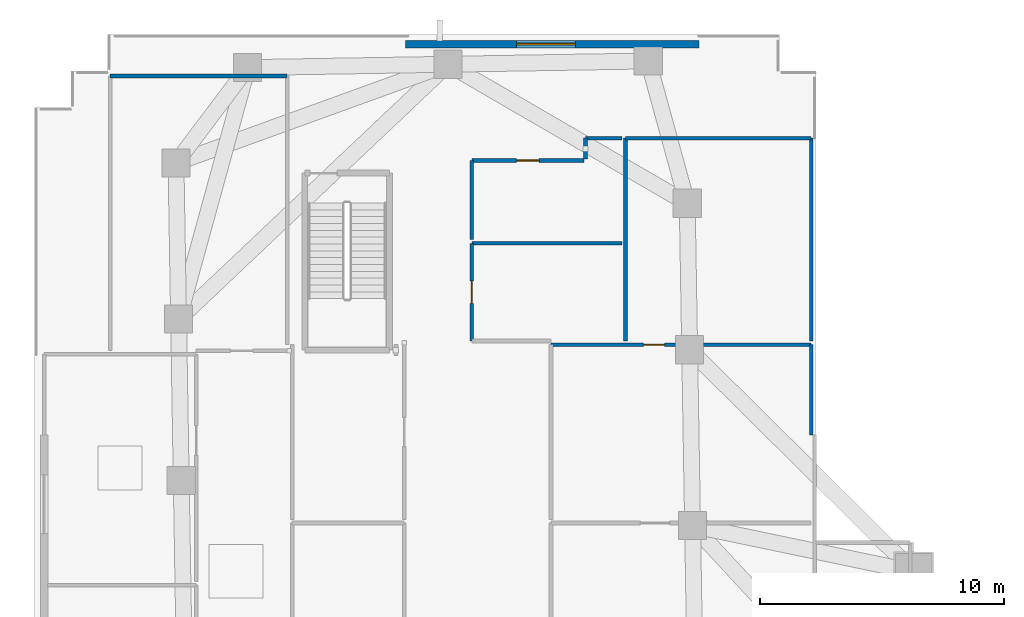
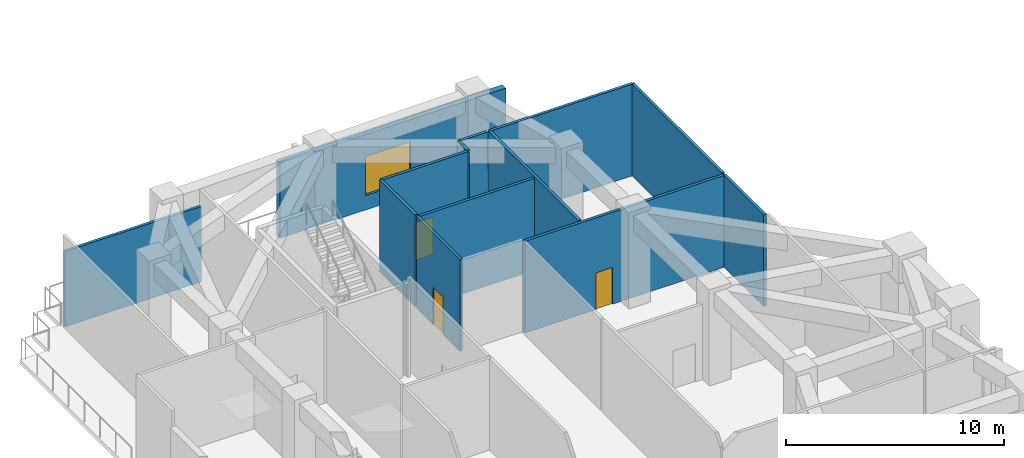
# One storey, part 10 of 18: 13 walls, 3 doors, 1 window, 4 openings.
"""IFC4 building model written with IfcOpenShell, lengths in metres."""

from ifc_helpers import new_model, si_unit, direction, frame, frame_2d, origin, place, context, subcontext, project, spatial, rectangle, extrude, material, layer, layer_set, type_object, element, fill, save


model = new_model("IFC4")

# Units and contexts
model_context = context("Model", 3, precision=1e-05, world=origin(), true_north=direction((0.0, 1.0)))
body_context = subcontext(model_context, "Body", "Model", "MODEL_VIEW")
ifc_project = project(units=[si_unit("LENGTHUNIT", "METRE"), si_unit("AREAUNIT", "SQUARE_METRE"), si_unit("VOLUMEUNIT", "CUBIC_METRE"), si_unit("PLANEANGLEUNIT", "RADIAN"), si_unit("MASSUNIT", "GRAM", prefix="KILO")], contexts=[model_context])

# Site, building, storey
site_placement = place(None, origin())
site = spatial("IfcSite", under=ifc_project, at=site_placement, CompositionType="ELEMENT")
building_placement = place(site_placement, origin())
building = spatial("IfcBuilding", under=site, at=building_placement, Name="Gaonmaruhae Medical Tower", CompositionType="ELEMENT")
storey_placement = place(building_placement, frame((0.0, 0.0, 10.800048828125)))
storey = spatial("IfcBuildingStorey", under=building, at=storey_placement, Name="L02", CompositionType="ELEMENT", Elevation=10.800048828125)

# Wall, opening, window
ifc_material_1 = material(Name="Precast concrete C45/55", Category="concrete")
ifc_layer_1 = layer(ifc_material_1, 0.320068359375)
ifc_layer_set_1 = layer_set([ifc_layer_1], Name="Precast concrete C45/55")
wall_type_1 = type_object("IfcWallType", Name="EW-320 Lower Precast Masonry-Frame Facade Wall", PredefinedType="SOLIDWALL", material=ifc_layer_set_1)
wall_1_placement = place(storey_placement, frame((15.199951171875, 50.800048828125, 0.0), z_axis=(0.0, 0.0, 1.0), x_axis=(1.0, 0.0, 0.0)))
wall_1 = element("IfcWall", 1, at=wall_1_placement, inside=storey, type_object=wall_type_1, Name="L02 Precast Facade Wall PB-N2", PredefinedType="SOLIDWALL", context=body_context, shape_type="SweptSolid", body=[
    extrude(rectangle(XDim=12.0, YDim=0.320068359375, at=frame_2d((6.0, 0.0))), origin(), (0.0, 0.0, 1.0), 4.22998046875),
])
opening_1_placement = place(wall_1_placement, frame((4.544921875, 0.0, 0.800048828125)))
opening_1 = element("IfcOpeningElement", 2, at=opening_1_placement, cuts=wall_1, Name="Opening WN-06", PredefinedType="OPENING", context=body_context, shape_type="SweptSolid", body=[
    extrude(rectangle(XDim=2.39990234375, YDim=2.199951171875, at=frame_2d((1.199951171875, 1.10009765625))), frame((0.0, 0.169921875, 0.0), z_axis=(0.0, -1.0, 0.0), x_axis=(1.0, 0.0, 0.0)), (0.0, 0.0, 1.0), 0.340087890625),
])
ifc_material_2 = material(Name="Anodised aluminium and Low-E double glazing", Category="aluminium")
window_type = type_object("IfcWindowType", Name="WN-06 Podium Diagnostic Punched Window 2400x2200", PartitioningType="SINGLE_PANEL", PredefinedType="WINDOW", material=ifc_material_2)
window_placement = place(opening_1_placement, origin())
window = element("IfcWindow", 3, at=window_placement, inside=storey, type_object=window_type, Name="L02 Podium Punched Window PB-N2", OverallHeight=2.199951171875, OverallWidth=2.39990234375, PartitioningType="SINGLE_PANEL", PredefinedType="WINDOW", context=body_context, shape_type="SweptSolid", body=[
    extrude(rectangle(XDim=2.39990234375, YDim=2.199951171875, at=frame_2d((1.199951171875, 1.10009765625))), frame((0.0, 0.030029296875, 0.0), z_axis=(0.0, -1.0, 0.0), x_axis=(1.0, 0.0, 0.0)), (0.0, 0.0, 1.0), 0.06005859375),
])
fill(opening_1, window)

# Wall, opening, door
ifc_material_3 = material(Name="Gypsum board partition", Category="gypsum")
ifc_layer_2 = layer(ifc_material_3, 0.14990234375)
ifc_layer_set_2 = layer_set([ifc_layer_2], Name="Gypsum board partition")
wall_type_2 = type_object("IfcWallType", Name="PW-150 Rated Clinical Corridor Partition", PredefinedType="PARTITIONING", material=ifc_layer_set_2)
wall_2_placement = place(storey_placement, frame((21.14990234375, 38.5, 0.0), z_axis=(0.0, 0.0, 1.0), x_axis=(1.0, 0.0, 0.0)))
wall_2 = element("IfcWall", 4, at=wall_2_placement, inside=storey, type_object=wall_type_2, Name="L02 Interior Partition L02-D6-65", PredefinedType="PARTITIONING", context=body_context, shape_type="SweptSolid", body=[
    extrude(rectangle(XDim=10.650146484375, YDim=0.14990234375, at=frame_2d((5.3251953125, 0.0))), origin(), (0.0, 0.0, 1.0), 5.14990234375),
])
opening_2_placement = place(wall_2_placement, frame((3.787353515625, 0.0, 0.0)))
opening_2 = element("IfcOpeningElement", 5, at=opening_2_placement, cuts=wall_2, Name="Opening AD-01", PredefinedType="OPENING", context=body_context, shape_type="SweptSolid", body=[
    extrude(rectangle(XDim=0.860107421875, YDim=2.06005859375, at=frame_2d((0.43017578125, 1.030029296875))), frame((0.0, 0.0849609375, 0.0), z_axis=(0.0, -1.0, 0.0), x_axis=(1.0, 0.0, 0.0)), (0.0, 0.0, 1.0), 0.169921875),
])
ifc_material_4 = material(Name="Powder-coated steel access door", Category="steel")
door_type_1 = type_object("IfcDoorType", Name="AD-01 Riser & Closet Access Fire Door 860x2060", OperationType="NOTDEFINED", PredefinedType="DOOR", material=ifc_material_4)
door_1_placement = place(opening_2_placement, origin())
door_1 = element("IfcDoor", 6, at=door_1_placement, inside=storey, type_object=door_type_1, Name="L02 Medical Records and Reporting Office Sliding Door", OperationType="SLIDING_TO_LEFT", OverallHeight=2.06005859375, OverallWidth=0.860107421875, PredefinedType="DOOR", context=body_context, shape_type="SweptSolid", body=[
    extrude(rectangle(XDim=0.860107421875, YDim=2.06005859375, at=frame_2d((0.43017578125, 1.030029296875))), frame((0.0, 0.02490234375, 0.0), z_axis=(0.0, -1.0, 0.0), x_axis=(1.0, 0.0, 0.0)), (0.0, 0.0, 1.0), 0.050048828125),
])
fill(opening_2, door_1)

# Walls
wall_3_placement = place(storey_placement, frame((31.800048828125, 38.5, 0.0), z_axis=(0.0, 0.0, 1.0), x_axis=(0.0, -1.0, 0.0)))
element("IfcWall", 7, at=wall_3_placement, inside=storey, type_object=wall_type_2, Name="L02 Interior Partition L02-D6-66", PredefinedType="PARTITIONING", context=body_context, shape_type="SweptSolid", body=[
    extrude(rectangle(XDim=3.699951171875, YDim=0.14990234375, at=frame_2d((1.85009765625, 0.0))), origin(), (0.0, 0.0, 1.0), 5.14990234375),
])
wall_4_placement = place(storey_placement, frame((24.199951171875, 46.949951171875, 0.0), z_axis=(0.0, 0.0, 1.0), x_axis=(1.0, 0.0, 0.0)))
element("IfcWall", 8, at=wall_4_placement, inside=storey, type_object=wall_type_2, Name="L02 Interior Partition L02-D7-68", PredefinedType="PARTITIONING", context=body_context, shape_type="SweptSolid", body=[
    extrude(rectangle(XDim=7.60009765625, YDim=0.14990234375, at=frame_2d((3.800048828125, 0.0))), origin(), (0.0, 0.0, 1.0), 5.14990234375),
])
for number, where, z_axis, x_axis, name in (
    (9, (31.800048828125, 46.949951171875, 0.0), (0.0, 0.0, 1.0), (0.0, -1.0, 0.0), "L02 Interior Partition L02-D7-69"),
    (10, (24.199951171875, 38.64990234375, 0.0), (0.0, 0.0, 1.0), (0.0, 1.0, 0.0), "L02 Interior Partition L02-D7-70"),
):
    element("IfcWall", number, at=place(storey_placement, frame(where, z_axis=z_axis, x_axis=x_axis)), inside=storey, type_object=wall_type_2, Name=name, PredefinedType="PARTITIONING", context=body_context, shape_type="SweptSolid", body=[
        extrude(rectangle(XDim=8.300048828125, YDim=0.14990234375, at=frame_2d((4.14990234375, 0.0))), origin(), (0.0, 0.0, 1.0), 5.14990234375),
    ])

# Wall, opening, door
wall_5_placement = place(storey_placement, frame((17.909912109375, 38.64990234375, 0.0), z_axis=(0.0, 0.0, 1.0), x_axis=(0.0, 1.0, 0.0)))
wall_5 = element("IfcWall", 11, at=wall_5_placement, inside=storey, type_object=wall_type_2, Name="L02 Interior Partition L02-WC-72", PredefinedType="PARTITIONING", context=body_context, shape_type="SweptSolid", body=[
    extrude(rectangle(XDim=4.0, YDim=0.14990234375, at=frame_2d((2.0, 0.0))), origin(), (0.0, 0.0, 1.0), 5.14990234375),
])
opening_3_placement = place(wall_5_placement, frame((1.5400390625, 0.0, 0.0)))
opening_3 = element("IfcOpeningElement", 12, at=opening_3_placement, cuts=wall_5, Name="Opening UD-01", PredefinedType="OPENING", context=body_context, shape_type="SweptSolid", body=[
    extrude(rectangle(XDim=0.919921875, YDim=2.10009765625, at=frame_2d((0.4599609375, 1.050048828125))), frame((0.0, 0.0849609375, 0.0), z_axis=(0.0, -1.0, 0.0), x_axis=(1.0, 0.0, 0.0)), (0.0, 0.0, 1.0), 0.169921875),
])
ifc_material_5 = material(Name="Powder-coated steel utility door", Category="steel")
door_type_2 = type_object("IfcDoorType", Name="UD-01 Toilet, Utility & Housekeeping Door 920x2100", OperationType="NOTDEFINED", PredefinedType="DOOR", material=ifc_material_5)
door_2_placement = place(opening_3_placement, origin())
door_2 = element("IfcDoor", 13, at=door_2_placement, inside=storey, type_object=door_type_2, Name="L02 L02 Public Toilet Door", OperationType="SINGLE_SWING_LEFT", OverallHeight=2.10009765625, OverallWidth=0.919921875, PredefinedType="DOOR", context=body_context, shape_type="SweptSolid", body=[
    extrude(rectangle(XDim=0.919921875, YDim=2.10009765625, at=frame_2d((0.4599609375, 1.050048828125))), frame((0.0, 0.02490234375, 0.0), z_axis=(0.0, -1.0, 0.0), x_axis=(1.0, 0.0, 0.0)), (0.0, 0.0, 1.0), 0.050048828125),
])
fill(opening_3, door_2)

# Walls
wall_6_placement = place(storey_placement, frame((17.909912109375, 42.64990234375, 0.0), z_axis=(0.0, 0.0, 1.0), x_axis=(1.0, 0.0, 0.0)))
element("IfcWall", 14, at=wall_6_placement, inside=storey, type_object=wall_type_2, Name="L02 Interior Partition L02-WC-73", PredefinedType="PARTITIONING", context=body_context, shape_type="SweptSolid", body=[
    extrude(rectangle(XDim=6.14013671875, YDim=0.14990234375, at=frame_2d((3.070068359375, 0.0))), origin(), (0.0, 0.0, 1.0), 5.14990234375),
])
wall_7_placement = place(storey_placement, frame((22.56005859375, 46.093994140625, 0.0), z_axis=(0.0, 0.0, 1.0), x_axis=(0.0, 1.0, 0.0)))
element("IfcWall", 15, at=wall_7_placement, inside=storey, type_object=wall_type_2, Name="L02 Interior Partition L02-AWC-74", PredefinedType="PARTITIONING", context=body_context, shape_type="SweptSolid", body=[
    extrude(rectangle(XDim=0.85595703125, YDim=0.14990234375, at=frame_2d((0.427978515625, 0.0))), origin(), (0.0, 0.0, 1.0), 5.14990234375),
])
wall_8_placement = place(storey_placement, frame((22.56005859375, 46.949951171875, 0.0), z_axis=(0.0, 0.0, 1.0), x_axis=(1.0, 0.0, 0.0)))
element("IfcWall", 16, at=wall_8_placement, inside=storey, type_object=wall_type_2, Name="L02 Interior Partition L02-AWC-75", PredefinedType="PARTITIONING", context=body_context, shape_type="SweptSolid", body=[
    extrude(rectangle(XDim=1.489990234375, YDim=0.14990234375, at=frame_2d((0.7451171875, 0.0))), origin(), (0.0, 0.0, 1.0), 5.14990234375),
])
wall_9_placement = place(storey_placement, frame((17.909912109375, 42.800048828125, 0.0), z_axis=(0.0, 0.0, 1.0), x_axis=(0.0, 1.0, 0.0)))
element("IfcWall", 17, at=wall_9_placement, inside=storey, type_object=wall_type_2, Name="L02 Interior Partition L02-AWC-76", PredefinedType="PARTITIONING", context=body_context, shape_type="SweptSolid", body=[
    extrude(rectangle(XDim=3.239990234375, YDim=0.14990234375, at=frame_2d((1.6201171875, 0.0))), origin(), (0.0, 0.0, 1.0), 5.14990234375),
])

# Wall, opening, door
wall_10_placement = place(storey_placement, frame((17.909912109375, 46.0400390625, 0.0), z_axis=(0.0, 0.0, 1.0), x_axis=(1.0, 0.0, 0.0)))
wall_10 = element("IfcWall", 18, at=wall_10_placement, inside=storey, type_object=wall_type_2, Name="L02 Interior Partition L02-AWC-77", PredefinedType="PARTITIONING", context=body_context, shape_type="SweptSolid", body=[
    extrude(rectangle(XDim=4.590087890625, YDim=0.14990234375, at=frame_2d((2.294921875, 0.0))), origin(), (0.0, 0.0, 1.0), 5.14990234375),
])
opening_4_placement = place(wall_10_placement, frame((1.8349609375, 0.0, 0.0)))
opening_4 = element("IfcOpeningElement", 19, at=opening_4_placement, cuts=wall_10, Name="Opening UD-01", PredefinedType="OPENING", context=body_context, shape_type="SweptSolid", body=[
    extrude(rectangle(XDim=0.919921875, YDim=2.10009765625, at=frame_2d((0.4599609375, 1.050048828125))), frame((0.0, 0.0849609375, 0.0), z_axis=(0.0, -1.0, 0.0), x_axis=(1.0, 0.0, 0.0)), (0.0, 0.0, 1.0), 0.169921875),
])
door_3_placement = place(opening_4_placement, origin())
door_3 = element("IfcDoor", 20, at=door_3_placement, inside=storey, type_object=door_type_2, Name="L02 L02 Accessible Public Toilet Door", OperationType="SINGLE_SWING_RIGHT", OverallHeight=2.10009765625, OverallWidth=0.919921875, PredefinedType="DOOR", context=body_context, shape_type="SweptSolid", body=[
    extrude(rectangle(XDim=0.919921875, YDim=2.10009765625, at=frame_2d((0.4599609375, 1.050048828125))), frame((0.0, 0.02490234375, 0.0), z_axis=(0.0, -1.0, 0.0), x_axis=(1.0, 0.0, 0.0)), (0.0, 0.0, 1.0), 0.050048828125),
])
fill(opening_4, door_3)

# Wall
wall_11_placement = place(storey_placement, frame((3.10009765625, 49.5, 0.0), z_axis=(0.0, 0.0, 1.0), x_axis=(1.0, 0.0, 0.0)))
element("IfcWall", 21, at=wall_11_placement, inside=storey, type_object=wall_type_2, Name="L02 Interior Partition L02-HSK-80", PredefinedType="PARTITIONING", context=body_context, shape_type="SweptSolid", body=[
    extrude(rectangle(XDim=7.25, YDim=0.14990234375, at=frame_2d((3.625, 0.0))), origin(), (0.0, 0.0, 1.0), 4.23486328125),
])

save(model, "model.ifc")
